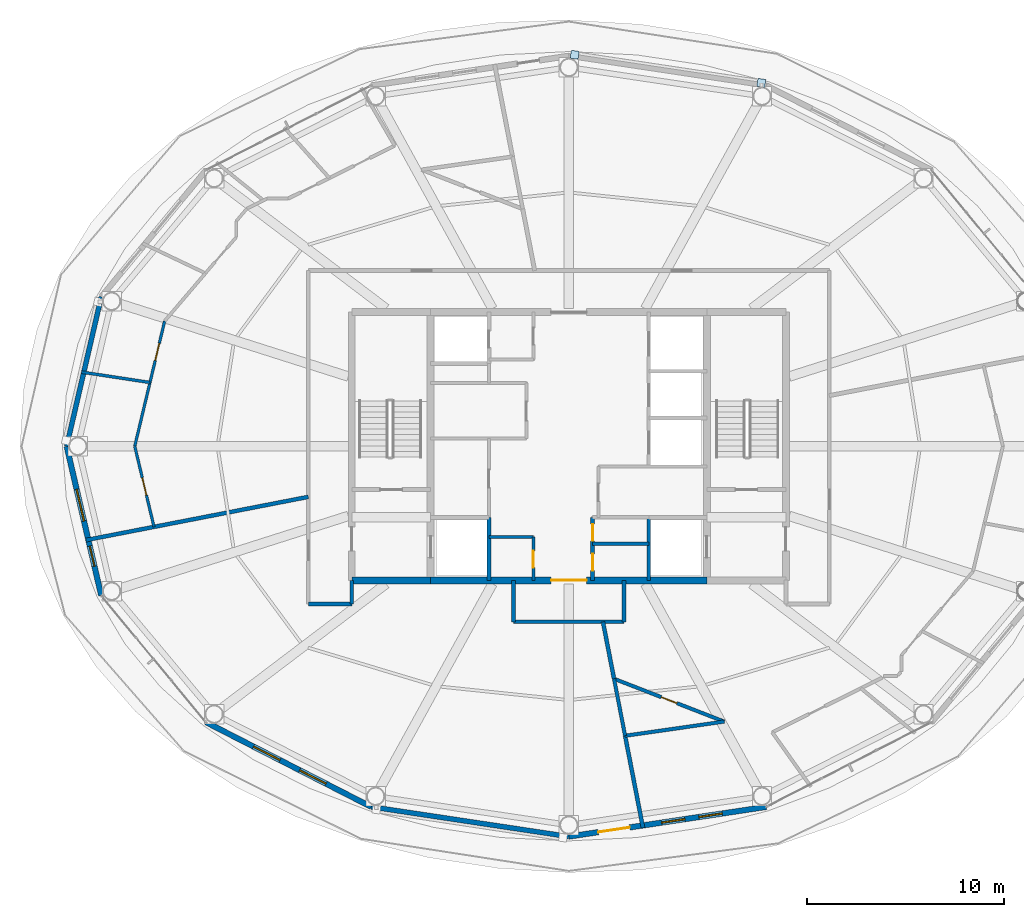
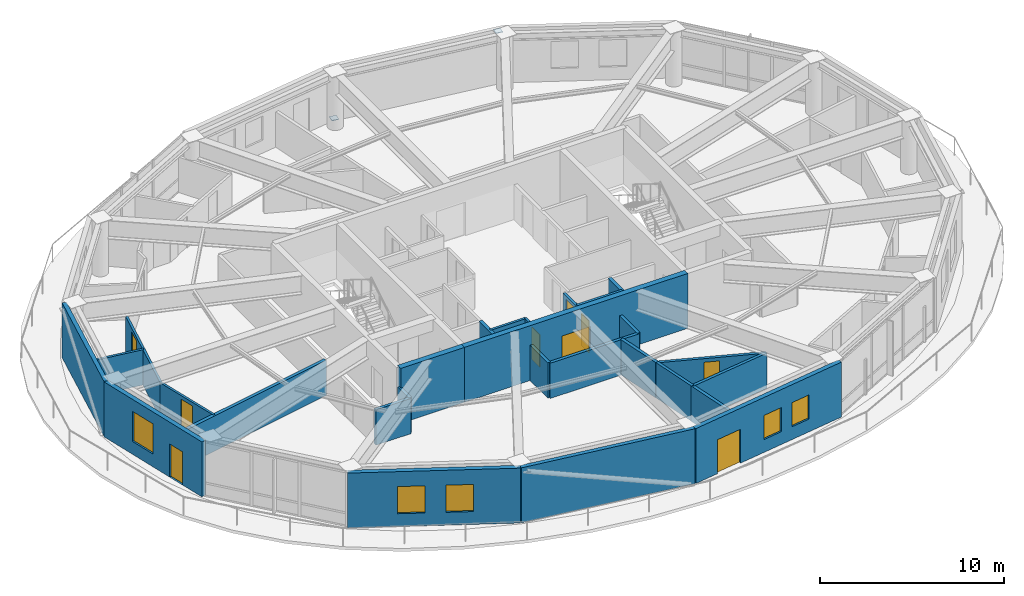
# One storey, part 18 of 24: 27 walls, 9 doors, 5 windows, 2 plates, 14 openings.
"""IFC4 building model written with IfcOpenShell, lengths in metres."""

from ifc_helpers import new_model, si_unit, direction, frame, frame_2d, origin, origin_2d, place, context, subcontext, project, spatial, rectangle, extrude, material, layer, layer_set, type_object, element, fill, save


model = new_model("IFC4")

# Units and contexts
model_context = context("Model", 3, precision=1e-05, world=origin(), true_north=direction((0.0, 1.0)))
body_context = subcontext(model_context, "Body", "Model", "MODEL_VIEW")
ifc_project = project(units=[si_unit("LENGTHUNIT", "METRE"), si_unit("AREAUNIT", "SQUARE_METRE"), si_unit("VOLUMEUNIT", "CUBIC_METRE"), si_unit("PLANEANGLEUNIT", "RADIAN"), si_unit("MASSUNIT", "GRAM", prefix="KILO")], contexts=[model_context])

# Site, building, storey
site_placement = place(None, origin())
site = spatial("IfcSite", under=ifc_project, at=site_placement, CompositionType="ELEMENT")
building_placement = place(site_placement, origin())
building = spatial("IfcBuilding", under=site, at=building_placement, Name="Sarneth Arch Tower", CompositionType="ELEMENT")
storey_placement = place(building_placement, frame((0.0, 0.0, 312.60009765625)))
storey = spatial("IfcBuildingStorey", under=building, at=storey_placement, Name="L81", CompositionType="ELEMENT", Elevation=312.60009765625)

# Plates
ifc_material_1 = material(Name="Steel S355", Category="steel")
ifc_layer_1 = layer(ifc_material_1, 0.035888671875)
ifc_layer_set_1 = layer_set([ifc_layer_1], Name="Steel S355")
plate_type = type_object("IfcPlateType", Name="PLT-GUSSET-30", PredefinedType="SHEET", material=ifc_layer_set_1)
for number, where, z_axis, x_axis, name in (
    (1, (48.296630859375, 61.83544921875, 0.001953125), (0.0, 0.0, 1.0), (-0.988860535448, 0.148845024885, 0.0), "Steel end cap plate GP-1"),
    (2, (57.754150390625, 60.411376953125, 3.34423828125), (0.0, 0.0, 1.0), (-0.988860535448, 0.148845024885, 0.0), "Steel end cap plate GP-1"),
):
    element("IfcPlate", number, at=place(storey_placement, frame(where, z_axis=z_axis, x_axis=x_axis)), inside=storey, type_object=plate_type, Name=name, PredefinedType="SHEET", context=body_context, shape_type="SweptSolid", body=[
        extrude(rectangle(XDim=0.404052734375, YDim=0.404052734375, at=origin_2d()), origin(), (0.0, 0.0, 1.0), 0.035888671875),
    ])

# Wall
ifc_material_2 = material(Name="Concrete C50/60", Category="concrete")
ifc_layer_2 = layer(ifc_material_2, 0.35009765625)
ifc_layer_set_2 = layer_set([ifc_layer_2], Name="Concrete C50/60")
wall_type_1 = type_object("IfcWallType", Name="WALL-CORE-350", PredefinedType="SHEAR", material=ifc_layer_set_2)
wall_1_placement = place(storey_placement, frame((37.0, 35.199951171875, 0.0), z_axis=(0.0, 0.0, 1.0), x_axis=(1.0, 0.0, 0.0)))
element("IfcWall", 3, at=wall_1_placement, inside=storey, type_object=wall_type_1, Name="L81 Core shear wall S-W", PredefinedType="SHEAR", context=body_context, shape_type="SweptSolid", body=[
    extrude(rectangle(XDim=4.0, YDim=0.35009765625, at=frame_2d((2.0, 0.0))), origin(), (0.0, 0.0, 1.0), 3.639892578125),
])

# Wall, opening, door
wall_2_placement = place(storey_placement, frame((41.0, 35.199951171875, 0.0), z_axis=(0.0, 0.0, 1.0), x_axis=(1.0, 0.0, 0.0)))
wall_2 = element("IfcWall", 4, at=wall_2_placement, inside=storey, type_object=wall_type_1, Name="L81 Core shear wall S-M", PredefinedType="SHEAR", context=body_context, shape_type="SweptSolid", body=[
    extrude(rectangle(XDim=14.0, YDim=0.35009765625, at=frame_2d((7.0, 0.0))), origin(), (0.0, 0.0, 1.0), 3.639892578125),
])
opening_1_placement = place(wall_2_placement, frame((6.10009765625, 0.0, 0.0)))
opening_1 = element("IfcOpeningElement", 5, at=opening_1_placement, cuts=wall_2, Name="Opening FD-01", PredefinedType="OPENING", context=body_context, shape_type="SweptSolid", body=[
    extrude(rectangle(XDim=1.800048828125, YDim=2.25, at=frame_2d((0.89990234375, 1.125))), frame((0.0, 0.18505859375, 0.0), z_axis=(0.0, -1.0, 0.0), x_axis=(1.0, 0.0, 0.0)), (0.0, 0.0, 1.0), 0.3701171875),
])
ifc_material_3 = material(Name="Galvanised Steel S275 fire door set", Category="steel")
door_type_1 = type_object("IfcDoorType", Name="DR-FD90-1800", OperationType="DOUBLE_DOOR_SINGLE_SWING", PredefinedType="DOOR", material=ifc_material_3)
door_1_placement = place(opening_1_placement, origin())
door_1 = element("IfcDoor", 6, at=door_1_placement, inside=storey, type_object=door_type_1, Name="L81 Central lift lobby south door", OperationType="DOUBLE_DOOR_SINGLE_SWING", OverallHeight=2.25, OverallWidth=1.800048828125, PredefinedType="DOOR", context=body_context, shape_type="SweptSolid", body=[
    extrude(rectangle(XDim=1.800048828125, YDim=2.25, at=frame_2d((0.89990234375, 1.125))), frame((0.0, 0.02490234375, 0.0), z_axis=(0.0, -1.0, 0.0), x_axis=(1.0, 0.0, 0.0)), (0.0, 0.0, 1.0), 0.050048828125),
])
fill(opening_1, door_1)

# Walls
ifc_material_4 = material(Name="Double steel-stud corridor fire wall", Category="steel")
ifc_layer_3 = layer(ifc_material_4, 0.18994140625)
ifc_layer_set_3 = layer_set([ifc_layer_3], Name="Double steel-stud corridor fire wall")
wall_type_2 = type_object("IfcWallType", Name="WALL-CORR-190", PredefinedType="PARTITIONING", material=ifc_layer_set_3)
wall_3_placement = place(storey_placement, frame((50.800048828125, 33.10009765625, 0.0), z_axis=(0.0, 0.0, 1.0), x_axis=(-1.0, 0.0, 0.0)))
element("IfcWall", 7, at=wall_3_placement, inside=storey, type_object=wall_type_2, Name="L81 Interior partition W-L81-TP-011", PredefinedType="PARTITIONING", context=body_context, shape_type="SweptSolid", body=[
    extrude(rectangle(XDim=5.60009765625, YDim=0.18994140625, at=frame_2d((2.800048828125, 0.0))), origin(), (0.0, 0.0, 1.0), 2.33984375),
])
wall_4_placement = place(storey_placement, frame((34.800048828125, 34.0, 0.0), z_axis=(0.0, 0.0, 1.0), x_axis=(1.0, 0.0, 0.0)))
element("IfcWall", 8, at=wall_4_placement, inside=storey, type_object=wall_type_2, Name="L81 Interior partition W-L81-TP-006", PredefinedType="PARTITIONING", context=body_context, shape_type="SweptSolid", body=[
    extrude(rectangle(XDim=2.199951171875, YDim=0.18994140625, at=frame_2d((1.10009765625, 0.0))), origin(), (0.0, 0.0, 1.0), 2.33984375),
])
for number, where, z_axis, x_axis, name in (
    (9, (45.199951171875, 33.10009765625, 0.0), (0.0, 0.0, 1.0), (0.0, 1.0, 0.0), "L81 Interior partition W-L81-TP-012"),
    (10, (50.800048828125, 35.199951171875, 0.0), (0.0, 0.0, 1.0), (0.0, -1.0, 0.0), "L81 Interior partition W-L81-TP-013"),
):
    element("IfcWall", number, at=place(storey_placement, frame(where, z_axis=z_axis, x_axis=x_axis)), inside=storey, type_object=wall_type_2, Name=name, PredefinedType="PARTITIONING", context=body_context, shape_type="SweptSolid", body=[
        extrude(rectangle(XDim=2.099853515625, YDim=0.18994140625, at=frame_2d((1.0498046875, 0.0))), origin(), (0.0, 0.0, 1.0), 2.33984375),
    ])
wall_5_placement = place(storey_placement, frame((37.0, 34.0, 0.0), z_axis=(0.0, 0.0, 1.0), x_axis=(0.0, 1.0, 0.0)))
element("IfcWall", 11, at=wall_5_placement, inside=storey, type_object=wall_type_2, Name="L81 Interior partition W-L81-TP-007", PredefinedType="PARTITIONING", context=body_context, shape_type="SweptSolid", body=[
    extrude(rectangle(XDim=1.199951171875, YDim=0.18994140625, at=frame_2d((0.60009765625, 0.0))), origin(), (0.0, 0.0, 1.0), 2.33984375),
])
ifc_material_5 = material(Name="Extruded terracotta rainscreen on Concrete C40/50 backing", Category="masonry")
ifc_layer_4 = layer(ifc_material_5, 0.25)
ifc_layer_set_4 = layer_set([ifc_layer_4], Name="Extruded terracotta rainscreen on Concrete C40/50 backing")
wall_type_3 = type_object("IfcWallType", Name="WALL-EXT-SPAND-250", PredefinedType="SOLIDWALL", material=ifc_layer_set_4)
wall_6_placement = place(storey_placement, frame((24.30615234375, 49.569580078125, 0.0), z_axis=(0.0, 0.0, 1.0), x_axis=(-0.225635078214, -0.974211892495, 0.0)))
element("IfcWall", 12, at=wall_6_placement, inside=storey, type_object=wall_type_3, Name="L81 Terracotta perimeter wall 08", PredefinedType="SOLIDWALL", context=body_context, shape_type="SweptSolid", body=[
    extrude(rectangle(XDim=7.77001953125, YDim=0.25, at=frame_2d((3.885009765625, 0.0))), origin(), (0.0, 0.0, 1.0), 3.639892578125),
])
wall_7_placement = place(storey_placement, frame((37.9873046875, 23.7255859375, 0.0), z_axis=(0.0, 0.0, 1.0), x_axis=(0.988882522213, -0.148698881169, 0.0)))
element("IfcWall", 13, at=wall_7_placement, inside=storey, type_object=wall_type_3, Name="L81 Terracotta perimeter wall 12", PredefinedType="SOLIDWALL", context=body_context, shape_type="SweptSolid", body=[
    extrude(rectangle(XDim=10.125244140625, YDim=0.25, at=frame_2d((5.0625, 0.0))), origin(), (0.0, 0.0, 1.0), 3.639892578125),
])

# Wall, openings, door, window
ifc_material_6 = material(Name="Extruded terracotta rainscreen on Concrete C40/50 backing", Category="masonry")
ifc_layer_5 = layer(ifc_material_6, 0.280029296875)
ifc_layer_set_5 = layer_set([ifc_layer_5], Name="Extruded terracotta rainscreen on Concrete C40/50 backing")
wall_type_4 = type_object("IfcWallType", Name="WALL-EXT-TERRA-280", PredefinedType="SOLIDWALL", material=ifc_layer_set_5)
wall_8_placement = place(storey_placement, frame((22.552978515625, 42.0, 0.0), z_axis=(0.0, 0.0, 1.0), x_axis=(0.225635078214, -0.974211892495, 0.0)))
wall_8 = element("IfcWall", 14, at=wall_8_placement, inside=storey, type_object=wall_type_4, Name="L81 Terracotta perimeter wall 09", PredefinedType="SOLIDWALL", context=body_context, shape_type="SweptSolid", body=[
    extrude(rectangle(XDim=7.77001953125, YDim=0.280029296875, at=frame_2d((3.885009765625, 0.0))), origin(), (0.0, 0.0, 1.0), 3.639892578125),
])
opening_2_placement = place(wall_8_placement, frame((2.24072265625, 0.0, 0.85009765625)))
opening_2 = element("IfcOpeningElement", 15, at=opening_2_placement, cuts=wall_8, Name="Opening W-05", PredefinedType="OPENING", context=body_context, shape_type="SweptSolid", body=[
    extrude(rectangle(XDim=1.64990234375, YDim=2.0, at=frame_2d((0.824951171875, 1.0))), frame((0.0, 0.14990234375, 0.0), z_axis=(0.0, -1.0, 0.0), x_axis=(1.0, 0.0, 0.0)), (0.0, 0.0, 1.0), 0.300048828125),
])
opening_3_placement = place(wall_8_placement, frame((5.192138671875, 0.0, 0.0)))
opening_3 = element("IfcOpeningElement", 16, at=opening_3_placement, cuts=wall_8, Name="Opening BD-4", PredefinedType="OPENING", context=body_context, shape_type="SweptSolid", body=[
    extrude(rectangle(XDim=1.050048828125, YDim=2.199951171875, at=frame_2d((0.52490234375, 1.10009765625))), frame((0.0, 0.14990234375, 0.0), z_axis=(0.0, -1.0, 0.0), x_axis=(1.0, 0.0, 0.0)), (0.0, 0.0, 1.0), 0.300048828125),
])
ifc_material_7 = material(Name="Thermally broken Aluminium 6063-T6 and laminated safety glass", Category="aluminium")
door_type_2 = type_object("IfcDoorType", Name="DR-BALC-GLZ-1050", OperationType="SINGLE_SWING_RIGHT", PredefinedType="DOOR", material=ifc_material_7)
door_2_placement = place(opening_3_placement, origin())
door_2 = element("IfcDoor", 17, at=door_2_placement, inside=storey, type_object=door_type_2, Name="L81 Balcony glazed door 09", OperationType="SINGLE_SWING_RIGHT", OverallHeight=2.199951171875, OverallWidth=1.050048828125, PredefinedType="DOOR", context=body_context, shape_type="SweptSolid", body=[
    extrude(rectangle(XDim=1.050048828125, YDim=2.199951171875, at=frame_2d((0.52490234375, 1.10009765625))), frame((0.0, 0.02490234375, 0.0), z_axis=(0.0, -1.0, 0.0), x_axis=(1.0, 0.0, 0.0)), (0.0, 0.0, 1.0), 0.050048828125),
])
fill(opening_3, door_2)
ifc_material_8 = material(Name="Thermally broken Aluminium 6063-T6 and low-e laminated IGU", Category="aluminium")
window_type_1 = type_object("IfcWindowType", Name="WIN-TWR-1650x2000", PartitioningType="DOUBLE_PANEL_VERTICAL", PredefinedType="WINDOW", material=ifc_material_8)
window_1_placement = place(opening_2_placement, origin())
window_1 = element("IfcWindow", 18, at=window_1_placement, inside=storey, type_object=window_type_1, Name="L81 Exterior window 09A", OverallHeight=2.0, OverallWidth=1.64990234375, PartitioningType="SINGLE_PANEL", PredefinedType="WINDOW", context=body_context, shape_type="SweptSolid", body=[
    extrude(rectangle(XDim=1.64990234375, YDim=2.0, at=frame_2d((0.824951171875, 1.0))), frame((0.0, 0.030029296875, 0.0), z_axis=(0.0, -1.0, 0.0), x_axis=(1.0, 0.0, 0.0)), (0.0, 0.0, 1.0), 0.06005859375),
])
fill(opening_2, window_1)

# Wall, openings, windows
wall_9_placement = place(storey_placement, frame((29.617431640625, 28.013427734375, 0.0), z_axis=(0.0, 0.0, 1.0), x_axis=(0.890007394051, -0.455946091699, 0.0)))
wall_9 = element("IfcWall", 19, at=wall_9_placement, inside=storey, type_object=wall_type_4, Name="L81 Terracotta perimeter wall 11", PredefinedType="SOLIDWALL", context=body_context, shape_type="SweptSolid", body=[
    extrude(rectangle(XDim=9.404296875, YDim=0.280029296875, at=frame_2d((4.7021484375, 0.0))), origin(), (0.0, 0.0, 1.0), 3.639892578125),
])
opening_4_placement = place(wall_9_placement, frame((2.702880859375, 0.0, 0.85009765625)))
opening_4 = element("IfcOpeningElement", 20, at=opening_4_placement, cuts=wall_9, Name="Opening W-07", PredefinedType="OPENING", context=body_context, shape_type="SweptSolid", body=[
    extrude(rectangle(XDim=1.5, YDim=1.800048828125, at=frame_2d((0.75, 0.89990234375))), frame((0.0, 0.14990234375, 0.0), z_axis=(0.0, -1.0, 0.0), x_axis=(1.0, 0.0, 0.0)), (0.0, 0.0, 1.0), 0.300048828125),
])
opening_5_placement = place(wall_9_placement, frame((5.330078125, 0.0, 0.85009765625)))
opening_5 = element("IfcOpeningElement", 21, at=opening_5_placement, cuts=wall_9, Name="Opening W-07", PredefinedType="OPENING", context=body_context, shape_type="SweptSolid", body=[
    extrude(rectangle(XDim=1.5, YDim=1.800048828125, at=frame_2d((0.75, 0.89990234375))), frame((0.0, 0.14990234375, 0.0), z_axis=(0.0, -1.0, 0.0), x_axis=(1.0, 0.0, 0.0)), (0.0, 0.0, 1.0), 0.300048828125),
])
ifc_material_9 = material(Name="Thermally broken Aluminium 6063-T6 and low-e laminated IGU", Category="aluminium")
window_type_2 = type_object("IfcWindowType", Name="WIN-TWR-1500x1800", PartitioningType="SINGLE_PANEL", PredefinedType="WINDOW", material=ifc_material_9)
window_2_placement = place(opening_4_placement, origin())
window_2 = element("IfcWindow", 22, at=window_2_placement, inside=storey, type_object=window_type_2, Name="L81 Exterior window 11A", OverallHeight=1.800048828125, OverallWidth=1.5, PartitioningType="SINGLE_PANEL", PredefinedType="WINDOW", context=body_context, shape_type="SweptSolid", body=[
    extrude(rectangle(XDim=1.5, YDim=1.800048828125, at=frame_2d((0.75, 0.89990234375))), frame((0.0, 0.030029296875, 0.0), z_axis=(0.0, -1.0, 0.0), x_axis=(1.0, 0.0, 0.0)), (0.0, 0.0, 1.0), 0.06005859375),
])
fill(opening_4, window_2)
window_3_placement = place(opening_5_placement, origin())
window_3 = element("IfcWindow", 23, at=window_3_placement, inside=storey, type_object=window_type_2, Name="L81 Exterior window 11B", OverallHeight=1.800048828125, OverallWidth=1.5, PartitioningType="SINGLE_PANEL", PredefinedType="WINDOW", context=body_context, shape_type="SweptSolid", body=[
    extrude(rectangle(XDim=1.5, YDim=1.800048828125, at=frame_2d((0.75, 0.89990234375))), frame((0.0, 0.030029296875, 0.0), z_axis=(0.0, -1.0, 0.0), x_axis=(1.0, 0.0, 0.0)), (0.0, 0.0, 1.0), 0.06005859375),
])
fill(opening_5, window_3)

# Wall, openings, door, windows
wall_10_placement = place(storey_placement, frame((48.0, 22.219970703125, 0.0), z_axis=(0.0, 0.0, 1.0), x_axis=(0.988882522213, 0.148698881169, 0.0)))
wall_10 = element("IfcWall", 24, at=wall_10_placement, inside=storey, type_object=wall_type_4, Name="L81 Terracotta perimeter wall 13", PredefinedType="SOLIDWALL", context=body_context, shape_type="SweptSolid", body=[
    extrude(rectangle(XDim=10.125244140625, YDim=0.280029296875, at=frame_2d((5.0625, 0.0))), origin(), (0.0, 0.0, 1.0), 3.639892578125),
])
opening_6_placement = place(wall_10_placement, frame((1.51611328125, 0.0, 0.0)))
opening_6 = element("IfcOpeningElement", 25, at=opening_6_placement, cuts=wall_10, Name="Opening BD-1", PredefinedType="OPENING", context=body_context, shape_type="SweptSolid", body=[
    extrude(rectangle(XDim=1.60009765625, YDim=2.25, at=frame_2d((0.800048828125, 1.125))), frame((0.0, 0.14990234375, 0.0), z_axis=(0.0, -1.0, 0.0), x_axis=(1.0, 0.0, 0.0)), (0.0, 0.0, 1.0), 0.300048828125),
])
opening_7_placement = place(wall_10_placement, frame((4.750244140625, 0.0, 0.85009765625)))
opening_7 = element("IfcOpeningElement", 26, at=opening_7_placement, cuts=wall_10, Name="Opening W-10", PredefinedType="OPENING", context=body_context, shape_type="SweptSolid", body=[
    extrude(rectangle(XDim=1.199951171875, YDim=1.60009765625, at=frame_2d((0.60009765625, 0.800048828125))), frame((0.0, 0.14990234375, 0.0), z_axis=(0.0, -1.0, 0.0), x_axis=(1.0, 0.0, 0.0)), (0.0, 0.0, 1.0), 0.300048828125),
])
opening_8_placement = place(wall_10_placement, frame((6.66796875, 0.0, 0.85009765625)))
opening_8 = element("IfcOpeningElement", 27, at=opening_8_placement, cuts=wall_10, Name="Opening W-10", PredefinedType="OPENING", context=body_context, shape_type="SweptSolid", body=[
    extrude(rectangle(XDim=1.199951171875, YDim=1.60009765625, at=frame_2d((0.60009765625, 0.800048828125))), frame((0.0, 0.14990234375, 0.0), z_axis=(0.0, -1.0, 0.0), x_axis=(1.0, 0.0, 0.0)), (0.0, 0.0, 1.0), 0.300048828125),
])
ifc_material_10 = material(Name="Thermally broken Aluminium 6063-T6 and laminated safety glass", Category="aluminium")
door_type_3 = type_object("IfcDoorType", Name="DR-BALC-GLZ-1600", OperationType="DOUBLE_DOOR_SINGLE_SWING", PredefinedType="DOOR", material=ifc_material_10)
door_3_placement = place(opening_6_placement, origin())
door_3 = element("IfcDoor", 28, at=door_3_placement, inside=storey, type_object=door_type_3, Name="L81 Balcony glazed door 13", OperationType="DOUBLE_DOOR_SINGLE_SWING", OverallHeight=2.25, OverallWidth=1.60009765625, PredefinedType="DOOR", context=body_context, shape_type="SweptSolid", body=[
    extrude(rectangle(XDim=1.60009765625, YDim=2.25, at=frame_2d((0.800048828125, 1.125))), frame((0.0, 0.02490234375, 0.0), z_axis=(0.0, -1.0, 0.0), x_axis=(1.0, 0.0, 0.0)), (0.0, 0.0, 1.0), 0.050048828125),
])
fill(opening_6, door_3)
ifc_material_11 = material(Name="Thermally broken Aluminium 6063-T6 and low-e laminated IGU", Category="aluminium")
window_type_3 = type_object("IfcWindowType", Name="WIN-TWR-1200x1600", PartitioningType="SINGLE_PANEL", PredefinedType="WINDOW", material=ifc_material_11)
window_4_placement = place(opening_7_placement, origin())
window_4 = element("IfcWindow", 29, at=window_4_placement, inside=storey, type_object=window_type_3, Name="L81 Exterior window 13A", OverallHeight=1.60009765625, OverallWidth=1.199951171875, PartitioningType="SINGLE_PANEL", PredefinedType="WINDOW", context=body_context, shape_type="SweptSolid", body=[
    extrude(rectangle(XDim=1.199951171875, YDim=1.60009765625, at=frame_2d((0.60009765625, 0.800048828125))), frame((0.0, 0.030029296875, 0.0), z_axis=(0.0, -1.0, 0.0), x_axis=(1.0, 0.0, 0.0)), (0.0, 0.0, 1.0), 0.06005859375),
])
fill(opening_7, window_4)
window_5_placement = place(opening_8_placement, origin())
window_5 = element("IfcWindow", 30, at=window_5_placement, inside=storey, type_object=window_type_3, Name="L81 Exterior window 13B", OverallHeight=1.60009765625, OverallWidth=1.199951171875, PartitioningType="SINGLE_PANEL", PredefinedType="WINDOW", context=body_context, shape_type="SweptSolid", body=[
    extrude(rectangle(XDim=1.199951171875, YDim=1.60009765625, at=frame_2d((0.60009765625, 0.800048828125))), frame((0.0, 0.030029296875, 0.0), z_axis=(0.0, -1.0, 0.0), x_axis=(1.0, 0.0, 0.0)), (0.0, 0.0, 1.0), 0.06005859375),
])
fill(opening_8, window_5)

# Wall, opening, door
ifc_material_12 = material(Name="Apartment internal stud partition", Category="gypsum")
ifc_layer_6 = layer(ifc_material_12, 0.139892578125)
ifc_layer_set_6 = layer_set([ifc_layer_6], Name="Apartment internal stud partition")
wall_type_5 = type_object("IfcWallType", Name="WALL-PART-140", PredefinedType="PARTITIONING", material=ifc_layer_set_6)
wall_11_placement = place(storey_placement, frame((26.9794921875, 37.9140625, 0.0), z_axis=(0.0, 0.0, 1.0), x_axis=(-0.23229355625, 0.972645723645, 0.0)))
wall_11 = element("IfcWall", 31, at=wall_11_placement, inside=storey, type_object=wall_type_5, Name="L81 Interior partition W-L81-TP-033", PredefinedType="PARTITIONING", context=body_context, shape_type="SweptSolid", body=[
    extrude(rectangle(XDim=4.200927734375, YDim=0.139892578125, at=frame_2d((2.1005859375, 0.0))), origin(), (0.0, 0.0, 1.0), 2.33984375),
])
opening_9_placement = place(wall_11_placement, frame((1.650390625, 0.0, 0.0)))
opening_9 = element("IfcOpeningElement", 32, at=opening_9_placement, cuts=wall_11, Name="Opening ID-01", PredefinedType="OPENING", context=body_context, shape_type="SweptSolid", body=[
    extrude(rectangle(XDim=0.89990234375, YDim=2.10009765625, at=frame_2d((0.449951171875, 1.050048828125))), frame((0.0, 0.079833984375, 0.0), z_axis=(0.0, -1.0, 0.0), x_axis=(1.0, 0.0, 0.0)), (0.0, 0.0, 1.0), 0.159912109375),
])
ifc_material_13 = material(Name="Engineered hardwood flush door", Category="wood")
door_type_4 = type_object("IfcDoorType", Name="DR-INT-900", OperationType="SINGLE_SWING_LEFT", PredefinedType="DOOR", material=ifc_material_13)
door_4_placement = place(opening_9_placement, origin())
door_4 = element("IfcDoor", 33, at=door_4_placement, inside=storey, type_object=door_type_4, Name="L81 Interior door DR-L81-U2-BED3", OperationType="SINGLE_SWING_LEFT", OverallHeight=2.10009765625, OverallWidth=0.89990234375, PredefinedType="DOOR", context=body_context, shape_type="SweptSolid", body=[
    extrude(rectangle(XDim=0.89990234375, YDim=2.10009765625, at=frame_2d((0.449951171875, 1.050048828125))), frame((0.0, 0.02490234375, 0.0), z_axis=(0.0, -1.0, 0.0), x_axis=(1.0, 0.0, 0.0)), (0.0, 0.0, 1.0), 0.050048828125),
])
fill(opening_9, door_4)

wall_12_placement = place(storey_placement, frame((26.003662109375, 42.0, 0.0), z_axis=(0.0, 0.0, 1.0), x_axis=(0.232298462197, 0.972644551962, 0.0)))
wall_12 = element("IfcWall", 34, at=wall_12_placement, inside=storey, type_object=wall_type_5, Name="L81 Interior partition W-L81-TP-034", PredefinedType="PARTITIONING", context=body_context, shape_type="SweptSolid", body=[
    extrude(rectangle(XDim=6.5234375, YDim=0.139892578125, at=frame_2d((3.26171875, 0.0))), origin(), (0.0, 0.0, 1.0), 2.33984375),
])
opening_10_placement = place(wall_12_placement, frame((4.471923828125, 0.0, 0.0)))
opening_10 = element("IfcOpeningElement", 35, at=opening_10_placement, cuts=wall_12, Name="Opening ID-01", PredefinedType="OPENING", context=body_context, shape_type="SweptSolid", body=[
    extrude(rectangle(XDim=0.89990234375, YDim=2.10009765625, at=frame_2d((0.449951171875, 1.050048828125))), frame((0.0, 0.079833984375, 0.0), z_axis=(0.0, -1.0, 0.0), x_axis=(1.0, 0.0, 0.0)), (0.0, 0.0, 1.0), 0.159912109375),
])
door_5_placement = place(opening_10_placement, origin())
door_5 = element("IfcDoor", 36, at=door_5_placement, inside=storey, type_object=door_type_4, Name="L81 Interior door DR-L81-U2-BED2", OperationType="SINGLE_SWING_LEFT", OverallHeight=2.10009765625, OverallWidth=0.89990234375, PredefinedType="DOOR", context=body_context, shape_type="SweptSolid", body=[
    extrude(rectangle(XDim=0.89990234375, YDim=2.10009765625, at=frame_2d((0.449951171875, 1.050048828125))), frame((0.0, 0.02490234375, 0.0), z_axis=(0.0, -1.0, 0.0), x_axis=(1.0, 0.0, 0.0)), (0.0, 0.0, 1.0), 0.050048828125),
])
fill(opening_10, door_5)

# Wall
ifc_material_14 = material(Name="Acoustic gypsum stud partition", Category="gypsum")
ifc_layer_7 = layer(ifc_material_14, 0.14990234375)
ifc_layer_set_7 = layer_set([ifc_layer_7], Name="Acoustic gypsum stud partition")
wall_type_6 = type_object("IfcWallType", Name="WALL-PART-150", PredefinedType="PARTITIONING", material=ifc_layer_set_7)
wall_13_placement = place(storey_placement, frame((43.949951171875, 37.39990234375, 0.0), z_axis=(0.0, 0.0, 1.0), x_axis=(1.0, 0.0, 0.0)))
element("IfcWall", 37, at=wall_13_placement, inside=storey, type_object=wall_type_6, Name="L81 Interior partition W-L81-CSUP1-N", PredefinedType="PARTITIONING", context=body_context, shape_type="SweptSolid", body=[
    extrude(rectangle(XDim=2.25, YDim=0.14990234375, at=frame_2d((1.125, 0.0))), origin(), (0.0, 0.0, 1.0), 2.33984375),
])

# Wall, opening, door
wall_14_placement = place(storey_placement, frame((46.199951171875, 35.199951171875, 0.0), z_axis=(0.0, 0.0, 1.0), x_axis=(0.0, 1.0, 0.0)))
wall_14 = element("IfcWall", 38, at=wall_14_placement, inside=storey, type_object=wall_type_6, Name="L81 Interior partition W-L81-CSUP1-E", PredefinedType="PARTITIONING", context=body_context, shape_type="SweptSolid", body=[
    extrude(rectangle(XDim=2.199951171875, YDim=0.14990234375, at=frame_2d((1.10009765625, 0.0))), origin(), (0.0, 0.0, 1.0), 2.33984375),
])
opening_11_placement = place(wall_14_placement, frame((0.64990234375, 0.0, 0.0)))
opening_11 = element("IfcOpeningElement", 39, at=opening_11_placement, cuts=wall_14, Name="Opening FD-11", PredefinedType="OPENING", context=body_context, shape_type="SweptSolid", body=[
    extrude(rectangle(XDim=0.85009765625, YDim=2.14990234375, at=frame_2d((0.425048828125, 1.074951171875))), frame((0.0, 0.0849609375, 0.0), z_axis=(0.0, -1.0, 0.0), x_axis=(1.0, 0.0, 0.0)), (0.0, 0.0, 1.0), 0.169921875),
])
ifc_material_15 = material(Name="Galvanised Steel S275 closet fire door", Category="steel")
door_type_5 = type_object("IfcDoorType", Name="DR-FD60-850", OperationType="SINGLE_SWING_LEFT", PredefinedType="DOOR", material=ifc_material_15)
door_6_placement = place(opening_11_placement, origin())
door_6 = element("IfcDoor", 40, at=door_6_placement, inside=storey, type_object=door_type_5, Name="L81 Interior door DR-L81-CSUP1", OperationType="SINGLE_SWING_LEFT", OverallHeight=2.14990234375, OverallWidth=0.85009765625, PredefinedType="DOOR", context=body_context, shape_type="SweptSolid", body=[
    extrude(rectangle(XDim=0.85009765625, YDim=2.14990234375, at=frame_2d((0.425048828125, 1.074951171875))), frame((0.0, 0.02490234375, 0.0), z_axis=(0.0, -1.0, 0.0), x_axis=(1.0, 0.0, 0.0)), (0.0, 0.0, 1.0), 0.050048828125),
])
fill(opening_11, door_6)

# Walls
wall_15_placement = place(storey_placement, frame((26.77490234375, 45.229736328125, 0.0), z_axis=(0.0, 0.0, 1.0), x_axis=(-0.988623329482, 0.150412474232, 0.0)))
element("IfcWall", 41, at=wall_15_placement, inside=storey, type_object=wall_type_6, Name="L81 Interior partition W-L81-TP-039", PredefinedType="PARTITIONING", context=body_context, shape_type="SweptSolid", body=[
    extrude(rectangle(XDim=3.51416015625, YDim=0.14990234375, at=frame_2d((1.757080078125, 0.0))), origin(), (0.0, 0.0, 1.0), 2.33984375),
])
ifc_material_16 = material(Name="Moisture-resistant plumbing chase wall", Category="gypsum")
ifc_layer_8 = layer(ifc_material_16, 0.179931640625)
ifc_layer_set_8 = layer_set([ifc_layer_8], Name="Moisture-resistant plumbing chase wall")
wall_type_7 = type_object("IfcWallType", Name="WALL-PLUMB-180", PredefinedType="PLUMBINGWALL", material=ifc_layer_set_8)
wall_16_placement = place(storey_placement, frame((49.199951171875, 37.050048828125, 0.0), z_axis=(0.0, 0.0, 1.0), x_axis=(1.0, 0.0, 0.0)))
element("IfcWall", 42, at=wall_16_placement, inside=storey, type_object=wall_type_7, Name="L81 Interior partition W-L81-AWC-M", PredefinedType="PLUMBINGWALL", context=body_context, shape_type="SweptSolid", body=[
    extrude(rectangle(XDim=2.85009765625, YDim=0.179931640625, at=frame_2d((1.425048828125, 0.0))), origin(), (0.0, 0.0, 1.0), 2.33984375),
])

# Wall, openings, doors
wall_17_placement = place(storey_placement, frame((49.199951171875, 35.199951171875, 0.0), z_axis=(0.0, 0.0, 1.0), x_axis=(0.0, 1.0, 0.0)))
wall_17 = element("IfcWall", 43, at=wall_17_placement, inside=storey, type_object=wall_type_7, Name="L81 Interior partition W-L81-AWC-W", PredefinedType="PLUMBINGWALL", context=body_context, shape_type="SweptSolid", body=[
    extrude(rectangle(XDim=3.199951171875, YDim=0.179931640625, at=frame_2d((1.60009765625, 0.0))), origin(), (0.0, 0.0, 1.0), 2.33984375),
])
opening_12_placement = place(wall_17_placement, frame((0.5, 0.0, 0.0)))
opening_12 = element("IfcOpeningElement", 44, at=opening_12_placement, cuts=wall_17, Name="Opening ID-02", PredefinedType="OPENING", context=body_context, shape_type="SweptSolid", body=[
    extrude(rectangle(XDim=0.85009765625, YDim=2.10009765625, at=frame_2d((0.425048828125, 1.050048828125))), frame((0.0, 0.099853515625, 0.0), z_axis=(0.0, -1.0, 0.0), x_axis=(1.0, 0.0, 0.0)), (0.0, 0.0, 1.0), 0.199951171875),
])
opening_13_placement = place(wall_17_placement, frame((2.0, 0.0, 0.0)))
opening_13 = element("IfcOpeningElement", 45, at=opening_13_placement, cuts=wall_17, Name="Opening FD-11", PredefinedType="OPENING", context=body_context, shape_type="SweptSolid", body=[
    extrude(rectangle(XDim=0.85009765625, YDim=2.14990234375, at=frame_2d((0.425048828125, 1.074951171875))), frame((0.0, 0.099853515625, 0.0), z_axis=(0.0, -1.0, 0.0), x_axis=(1.0, 0.0, 0.0)), (0.0, 0.0, 1.0), 0.199951171875),
])
door_7_placement = place(opening_13_placement, origin())
door_7 = element("IfcDoor", 46, at=door_7_placement, inside=storey, type_object=door_type_5, Name="L81 Interior door DR-L81-CSUP3", OperationType="SINGLE_SWING_LEFT", OverallHeight=2.14990234375, OverallWidth=0.85009765625, PredefinedType="DOOR", context=body_context, shape_type="SweptSolid", body=[
    extrude(rectangle(XDim=0.85009765625, YDim=2.14990234375, at=frame_2d((0.425048828125, 1.074951171875))), frame((0.0, 0.02490234375, 0.0), z_axis=(0.0, -1.0, 0.0), x_axis=(1.0, 0.0, 0.0)), (0.0, 0.0, 1.0), 0.050048828125),
])
fill(opening_13, door_7)
ifc_material_17 = material(Name="Moisture-resistant bathroom timber door", Category="wood")
door_type_6 = type_object("IfcDoorType", Name="DR-INT-850", OperationType="SINGLE_SWING_RIGHT", PredefinedType="DOOR", material=ifc_material_17)
door_8_placement = place(opening_12_placement, origin())
door_8 = element("IfcDoor", 47, at=door_8_placement, inside=storey, type_object=door_type_6, Name="L81 Interior door DR-L81-AWC", OperationType="SINGLE_SWING_RIGHT", OverallHeight=2.10009765625, OverallWidth=0.85009765625, PredefinedType="DOOR", context=body_context, shape_type="SweptSolid", body=[
    extrude(rectangle(XDim=0.85009765625, YDim=2.10009765625, at=frame_2d((0.425048828125, 1.050048828125))), frame((0.0, 0.02490234375, 0.0), z_axis=(0.0, -1.0, 0.0), x_axis=(1.0, 0.0, 0.0)), (0.0, 0.0, 1.0), 0.050048828125),
])
fill(opening_12, door_8)

# Wall, opening, door
wall_18_placement = place(storey_placement, frame((50.29052734375, 30.21630859375, 0.0), z_axis=(0.0, 0.0, 1.0), x_axis=(0.932120865565, -0.362147334628, 0.0)))
wall_18 = element("IfcWall", 48, at=wall_18_placement, inside=storey, type_object=wall_type_7, Name="L81 Interior partition W-L81-TP-046", PredefinedType="PLUMBINGWALL", context=body_context, shape_type="SweptSolid", body=[
    extrude(rectangle(XDim=5.9912109375, YDim=0.179931640625, at=frame_2d((2.99560546875, 0.0))), origin(), (0.0, 0.0, 1.0), 2.33984375),
])
opening_14_placement = place(wall_18_placement, frame((2.570556640625, 0.0, 0.0)))
opening_14 = element("IfcOpeningElement", 49, at=opening_14_placement, cuts=wall_18, Name="Opening ID-02", PredefinedType="OPENING", context=body_context, shape_type="SweptSolid", body=[
    extrude(rectangle(XDim=0.85009765625, YDim=2.10009765625, at=frame_2d((0.425048828125, 1.050048828125))), frame((0.0, 0.099853515625, 0.0), z_axis=(0.0, -1.0, 0.0), x_axis=(1.0, 0.0, 0.0)), (0.0, 0.0, 1.0), 0.199951171875),
])
door_9_placement = place(opening_14_placement, origin())
door_9 = element("IfcDoor", 50, at=door_9_placement, inside=storey, type_object=door_type_6, Name="L81 Interior door DR-L81-U4-BATH", OperationType="SINGLE_SWING_RIGHT", OverallHeight=2.10009765625, OverallWidth=0.85009765625, PredefinedType="DOOR", context=body_context, shape_type="SweptSolid", body=[
    extrude(rectangle(XDim=0.85009765625, YDim=2.10009765625, at=frame_2d((0.425048828125, 1.050048828125))), frame((0.0, 0.02490234375, 0.0), z_axis=(0.0, -1.0, 0.0), x_axis=(1.0, 0.0, 0.0)), (0.0, 0.0, 1.0), 0.050048828125),
])
fill(opening_14, door_9)

# Walls
wall_19_placement = place(storey_placement, frame((55.875, 28.046630859375, 0.0), z_axis=(0.0, 0.0, 1.0), x_axis=(-0.989917714359, -0.141643633102, 0.0)))
element("IfcWall", 51, at=wall_19_placement, inside=storey, type_object=wall_type_7, Name="L81 Interior partition W-L81-TP-047", PredefinedType="PLUMBINGWALL", context=body_context, shape_type="SweptSolid", body=[
    extrude(rectangle(XDim=5.074462890625, YDim=0.179931640625, at=frame_2d((2.537109375, 0.0))), origin(), (0.0, 0.0, 1.0), 2.33984375),
])
wall_20_placement = place(storey_placement, frame((50.851806640625, 27.327880859375, 0.0), z_axis=(0.0, 0.0, 1.0), x_axis=(-0.190751955115, 0.981638269232, 0.0)))
element("IfcWall", 52, at=wall_20_placement, inside=storey, type_object=wall_type_7, Name="L81 Interior partition W-L81-TP-043", PredefinedType="PLUMBINGWALL", context=body_context, shape_type="SweptSolid", body=[
    extrude(rectangle(XDim=2.9423828125, YDim=0.179931640625, at=frame_2d((1.47119140625, 0.0))), origin(), (0.0, 0.0, 1.0), 2.33984375),
])
ifc_material_18 = material(Name="Aerated concrete blockwork C25/30", Category="masonry")
ifc_layer_9 = layer(ifc_material_18, 0.199951171875)
ifc_layer_set_9 = layer_set([ifc_layer_9], Name="Aerated concrete blockwork C25/30")
wall_type_8 = type_object("IfcWallType", Name="WALL-SHAFT-200", PredefinedType="SOLIDWALL", material=ifc_layer_set_9)
for number, where, z_axis, x_axis, name in (
    (53, (43.949951171875, 35.199951171875, 0.0), (0.0, 0.0, 1.0), (0.0, 1.0, 0.0), "L81 Interior partition W-L81-FL1-E"),
    (54, (52.050048828125, 35.199951171875, 0.0), (0.0, 0.0, 1.0), (0.0, 1.0, 0.0), "L81 Interior partition W-L81-FL2-W"),
):
    element("IfcWall", number, at=place(storey_placement, frame(where, z_axis=z_axis, x_axis=x_axis)), inside=storey, type_object=wall_type_8, Name=name, PredefinedType="SOLIDWALL", context=body_context, shape_type="SweptSolid", body=[
        extrude(rectangle(XDim=3.199951171875, YDim=0.199951171875, at=frame_2d((1.60009765625, 0.0))), origin(), (0.0, 0.0, 1.0), 2.33984375),
    ])
ifc_material_19 = material(Name="Double steel-stud acoustic drywall", Category="steel")
ifc_layer_10 = layer(ifc_material_19, 0.199951171875)
ifc_layer_set_10 = layer_set([ifc_layer_10], Name="Double steel-stud acoustic drywall")
wall_type_9 = type_object("IfcWallType", Name="WALL-UNIT-200", PredefinedType="PARTITIONING", material=ifc_layer_set_10)
wall_21_placement = place(storey_placement, frame((34.800048828125, 39.43408203125, 0.0), z_axis=(0.0, 0.0, 1.0), x_axis=(-0.981626456647, -0.190812734402, 0.0)))
element("IfcWall", 55, at=wall_21_placement, inside=storey, type_object=wall_type_9, Name="L81 Interior partition W-L81-TP-035", PredefinedType="PARTITIONING", context=body_context, shape_type="SweptSolid", body=[
    extrude(rectangle(XDim=11.4794921875, YDim=0.199951171875, at=frame_2d((5.73974609375, 0.0))), origin(), (0.0, 0.0, 1.0), 2.33984375),
])
wall_22_placement = place(storey_placement, frame((51.758544921875, 22.6640625, 0.0), z_axis=(0.0, 0.0, 1.0), x_axis=(-0.190846277625, 0.981619935778, 0.0)))
element("IfcWall", 56, at=wall_22_placement, inside=storey, type_object=wall_type_9, Name="L81 Interior partition W-L81-TP-042", PredefinedType="PARTITIONING", context=body_context, shape_type="SweptSolid", body=[
    extrude(rectangle(XDim=4.751220703125, YDim=0.199951171875, at=frame_2d((2.37548828125, 0.0))), origin(), (0.0, 0.0, 1.0), 2.33984375),
])
wall_23_placement = place(storey_placement, frame((50.29052734375, 30.21630859375, 0.0), z_axis=(0.0, 0.0, 1.0), x_axis=(-0.190807376865, 0.981627498053, 0.0)))
element("IfcWall", 57, at=wall_23_placement, inside=storey, type_object=wall_type_9, Name="L81 Interior partition W-L81-TP-041", PredefinedType="PARTITIONING", context=body_context, shape_type="SweptSolid", body=[
    extrude(rectangle(XDim=2.937744140625, YDim=0.199951171875, at=frame_2d((1.46875, 0.0))), origin(), (0.0, 0.0, 1.0), 2.33984375),
])

save(model, "model.ifc")
